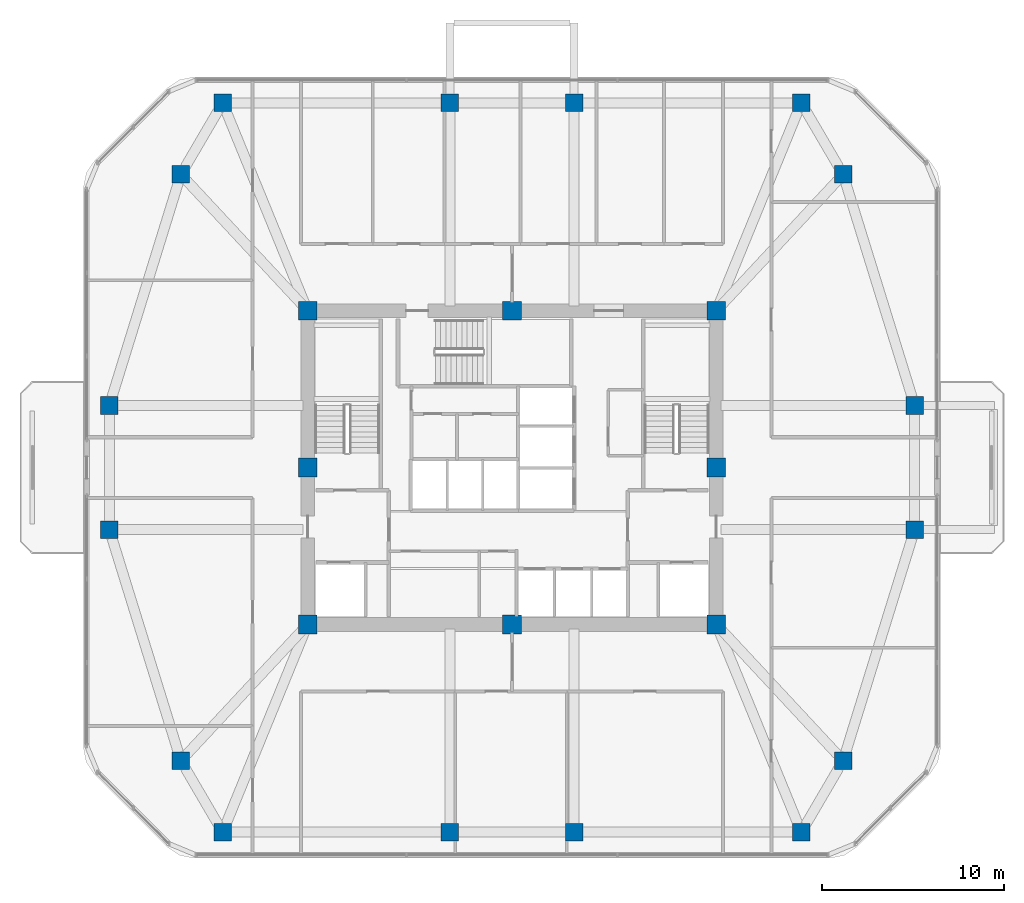
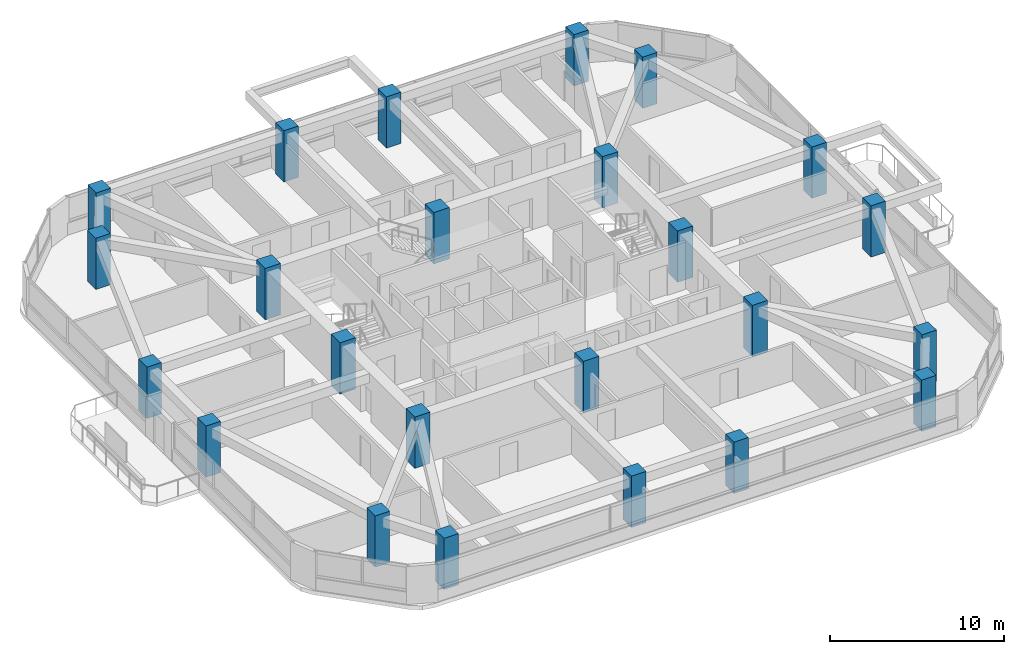
# One storey, part 1 of 13: 24 columns.
"""IFC4 building model written with IfcOpenShell, lengths in metres."""

from ifc_helpers import new_model, si_unit, derived_unit, direction, frame, origin, origin_2d, place, context, subcontext, project, spatial, rectangle, extrude, material, material_profile, profile_set, type_object, element, save


model = new_model("IFC4")

# Units and contexts
model_context = context("Model", 3, precision=1e-05, world=origin(), true_north=direction((0.0, 1.0)))
body_context = subcontext(model_context, "Body", "Model", "MODEL_VIEW")
ifc_project = project(units=[si_unit("LENGTHUNIT", "METRE"), si_unit("AREAUNIT", "SQUARE_METRE"), si_unit("VOLUMEUNIT", "CUBIC_METRE"), si_unit("PLANEANGLEUNIT", "RADIAN"), si_unit("MASSUNIT", "GRAM", prefix="KILO"), derived_unit("THERMALTRANSMITTANCEUNIT", [(si_unit("POWERUNIT", "WATT"), 1), (si_unit("LENGTHUNIT", "METRE"), -2), (si_unit("THERMODYNAMICTEMPERATUREUNIT", "KELVIN"), -1)])], contexts=[model_context])

# Site, building, storey
site_placement = place(None, origin())
site = spatial("IfcSite", under=ifc_project, at=site_placement, CompositionType="ELEMENT")
building_placement = place(site_placement, origin())
building = spatial("IfcBuilding", under=site, at=building_placement, Name="Koralith Skygarden Medical Center", CompositionType="ELEMENT")
storey_placement = place(building_placement, frame((0.0, 0.0, 156.419921875)))
storey = spatial("IfcBuildingStorey", under=building, at=storey_placement, Name="L40", CompositionType="ELEMENT", Elevation=156.419921875)

# Columns
ifc_material_1 = material(Name="Concrete C70/85", Category="concrete")
ifc_material_profile_1 = material_profile(ifc_material_1, rectangle(XDim=1.02001953125, YDim=1.02001953125, at=origin_2d()), Name="RC1020X1020")
ifc_profile_set_1 = profile_set([ifc_material_profile_1], Name="Concrete C70/85")
column_type_1 = type_object("IfcColumnType", Name="Core Mega-Column C70 RC1020", PredefinedType="COLUMN", material=ifc_profile_set_1)
for number, where, z_axis, x_axis, name in (
    (1, (25.800048828125, 17.300048828125, 0.0), (0.0, 0.0, 1.0), (1.0, 0.0, 0.0), "L40 Core Column CC-01"),
    (2, (37.0, 17.300048828125, 0.0), (0.0, 0.0, 1.0), (1.0, 0.0, 0.0), "L40 Core Column CC-02"),
    (3, (48.199951171875, 17.300048828125, 0.0), (0.0, 0.0, 1.0), (1.0, 0.0, 0.0), "L40 Core Column CC-03"),
    (4, (48.199951171875, 25.89990234375, 0.0), (0.0, 0.0, 1.0), (1.0, 0.0, 0.0), "L40 Core Column CC-04"),
    (5, (48.199951171875, 34.5, 0.0), (0.0, 0.0, 1.0), (1.0, 0.0, 0.0), "L40 Core Column CC-05"),
    (6, (37.0, 34.5, 0.0), (0.0, 0.0, 1.0), (1.0, 0.0, 0.0), "L40 Core Column CC-06"),
    (7, (25.800048828125, 34.5, 0.0), (0.0, 0.0, 1.0), (1.0, 0.0, 0.0), "L40 Core Column CC-07"),
    (8, (25.800048828125, 25.89990234375, 0.0), (0.0, 0.0, 1.0), (1.0, 0.0, 0.0), "L40 Core Column CC-08"),
):
    element("IfcColumn", number, at=place(storey_placement, frame(where, z_axis=z_axis, x_axis=x_axis)), inside=storey, type_object=column_type_1, Name=name, PredefinedType="COLUMN", context=body_context, shape_type="SweptSolid", body=[
        extrude(rectangle(XDim=1.02001953125, YDim=1.02001953125, at=origin_2d()), origin(), (0.0, 0.0, 1.0), 3.60009765625),
    ])
ifc_material_2 = material(Name="Concrete C55/67", Category="concrete")
ifc_material_profile_2 = material_profile(ifc_material_2, rectangle(XDim=0.9599609375, YDim=0.9599609375, at=origin_2d()), Name="RC960X960")
ifc_profile_set_2 = profile_set([ifc_material_profile_2], Name="Concrete C55/67")
column_type_2 = type_object("IfcColumnType", Name="Zone 3 Waist Mega-Column C55 RC960", PredefinedType="COLUMN", material=ifc_profile_set_2)
for number, where, z_axis, x_axis, name in (
    (9, (14.93603515625, 22.5, 0.0), (0.0, 0.0, 1.0), (1.0, 0.0, 0.0), "L40 Perimeter Mega-Column MC-01"),
    (10, (18.85595703125, 9.840087890625, 0.0), (0.0, 0.0, 1.0), (1.0, 0.0, 0.0), "L40 Perimeter Mega-Column MC-02"),
    (11, (21.14794921875, 5.919921875, 0.0), (0.0, 0.0, 1.0), (1.0, 0.0, 0.0), "L40 Perimeter Mega-Column MC-03"),
    (12, (33.60009765625, 5.919921875, 0.0), (0.0, 0.0, 1.0), (1.0, 0.0, 0.0), "L40 Perimeter Mega-Column MC-04"),
    (13, (40.39990234375, 5.919921875, 0.0), (0.0, 0.0, 1.0), (1.0, 0.0, 0.0), "L40 Perimeter Mega-Column MC-05"),
    (14, (52.85205078125, 5.919921875, 0.0), (0.0, 0.0, 1.0), (1.0, 0.0, 0.0), "L40 Perimeter Mega-Column MC-06"),
    (15, (55.14404296875, 9.840087890625, 0.0), (0.0, 0.0, 1.0), (1.0, 0.0, 0.0), "L40 Perimeter Mega-Column MC-07"),
    (16, (59.06396484375, 22.5, 0.0), (0.0, 0.0, 1.0), (1.0, 0.0, 0.0), "L40 Perimeter Mega-Column MC-08"),
    (17, (59.06396484375, 29.300048828125, 0.0), (0.0, 0.0, 1.0), (1.0, 0.0, 0.0), "L40 Perimeter Mega-Column MC-09"),
    (18, (55.14404296875, 41.9599609375, 0.0), (0.0, 0.0, 1.0), (1.0, 0.0, 0.0), "L40 Perimeter Mega-Column MC-10"),
    (19, (52.85205078125, 45.8798828125, 0.0), (0.0, 0.0, 1.0), (1.0, 0.0, 0.0), "L40 Perimeter Mega-Column MC-11"),
    (20, (40.39990234375, 45.8798828125, 0.0), (0.0, 0.0, 1.0), (1.0, 0.0, 0.0), "L40 Perimeter Mega-Column MC-12"),
    (21, (33.60009765625, 45.8798828125, 0.0), (0.0, 0.0, 1.0), (1.0, 0.0, 0.0), "L40 Perimeter Mega-Column MC-13"),
    (22, (21.14794921875, 45.8798828125, 0.0), (0.0, 0.0, 1.0), (1.0, 0.0, 0.0), "L40 Perimeter Mega-Column MC-14"),
    (23, (18.85595703125, 41.9599609375, 0.0), (0.0, 0.0, 1.0), (1.0, 0.0, 0.0), "L40 Perimeter Mega-Column MC-15"),
    (24, (14.93603515625, 29.300048828125, 0.0), (0.0, 0.0, 1.0), (1.0, 0.0, 0.0), "L40 Perimeter Mega-Column MC-16"),
):
    element("IfcColumn", number, at=place(storey_placement, frame(where, z_axis=z_axis, x_axis=x_axis)), inside=storey, type_object=column_type_2, Name=name, PredefinedType="COLUMN", context=body_context, shape_type="SweptSolid", body=[
        extrude(rectangle(XDim=0.9599609375, YDim=0.9599609375, at=origin_2d()), origin(), (0.0, 0.0, 1.0), 3.60009765625),
    ])

save(model, "model.ifc")
